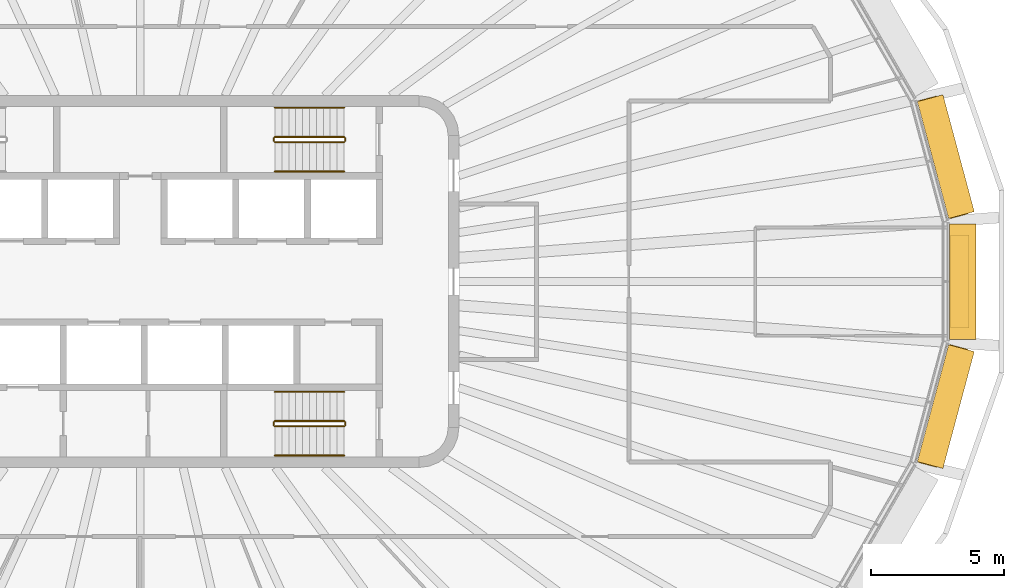
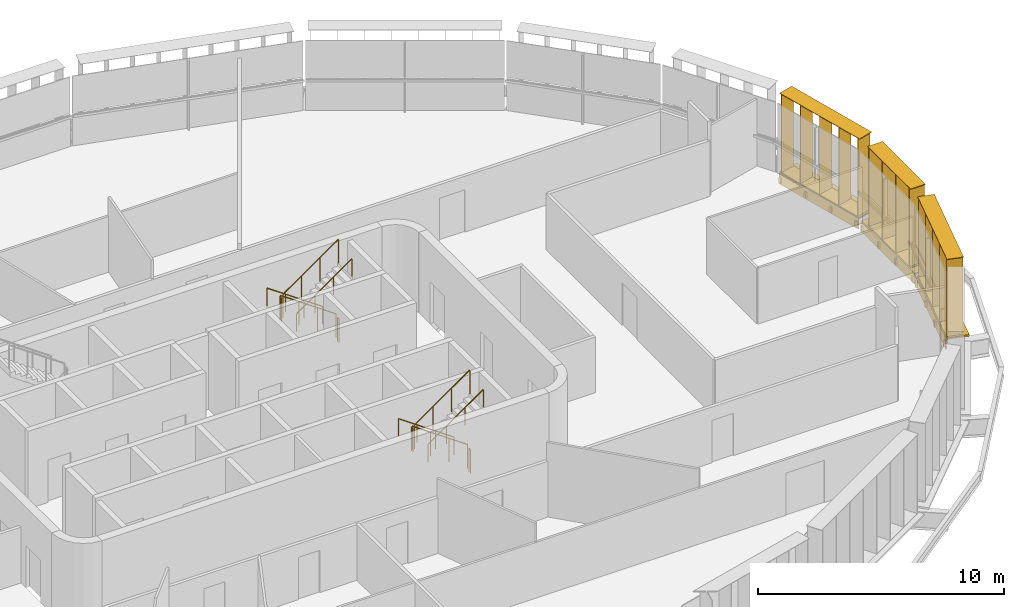
# One storey, part 18 of 19: 12 railings, 6 shading devices.
"""IFC4 building model written with IfcOpenShell, lengths in metres."""

from ifc_helpers import new_model, si_unit, direction, frame, origin, origin_2d, place, context, subcontext, project, spatial, rectangle, circle, extrude, material, type_object, element, save


model = new_model("IFC4")

# Units and contexts
model_context = context("Model", 3, precision=1e-05, world=origin(), true_north=direction((0.0, 1.0)))
body_context = subcontext(model_context, "Body", "Model", "MODEL_VIEW")
ifc_project = project(units=[si_unit("LENGTHUNIT", "METRE"), si_unit("AREAUNIT", "SQUARE_METRE"), si_unit("VOLUMEUNIT", "CUBIC_METRE"), si_unit("PLANEANGLEUNIT", "RADIAN"), si_unit("MASSUNIT", "GRAM", prefix="KILO")], contexts=[model_context])

# Site, building, storey
site_placement = place(None, origin())
site = spatial("IfcSite", under=ifc_project, at=site_placement, CompositionType="ELEMENT")
building_placement = place(site_placement, origin())
building = spatial("IfcBuilding", under=site, at=building_placement, Name="Sahrelin Media Tower", CompositionType="ELEMENT")
storey_placement = place(building_placement, frame((0.0, 0.0, 241.60009765625)))
storey = spatial("IfcBuildingStorey", under=building, at=storey_placement, Name="L52", CompositionType="ELEMENT", Elevation=241.60009765625)

# Shading devices
ifc_material_1 = material(Name="Champagne anodised aluminium 6063-T6", Category="aluminium")
shading_device_type_1 = type_object("IfcShadingDeviceType", Name="Fin cassette", PredefinedType="USERDEFINED", material=ifc_material_1)
placement_1 = place(storey_placement, frame((30.449951171875, 0.0, 0.0), z_axis=(0.0, 0.0, 1.0), x_axis=(0.0, -1.0, 0.0)))
element("IfcShadingDevice", 1, at=placement_1, inside=storey, type_object=shading_device_type_1, Name="L52:FIN:L52-00", ObjectType="FIN", PredefinedType="USERDEFINED", context=body_context, shape_type="SweptSolid", body=[
    extrude(rectangle(XDim=3.5, YDim=0.699951171875, at=origin_2d()), frame((0.0, 0.419921875, 0.0)), (0.0, 0.0, 1.0), 0.02001953125),
    extrude(rectangle(XDim=3.5, YDim=0.699951171875, at=origin_2d()), frame((0.0, 0.419921875, 3.89990234375)), (0.0, 0.0, 1.0), 0.02001953125),
    extrude(rectangle(XDim=0.02001953125, YDim=0.699951171875, at=origin_2d()), frame((-1.64990234375, 0.419921875, 0.010009765625), z_axis=(0.0, 0.0, 1.0), x_axis=(1.0, 0.0, 0.0)), (0.0, 0.0, 1.0), 3.89990234375),
    extrude(rectangle(XDim=0.02001953125, YDim=0.699951171875, at=origin_2d()), frame((-0.550048828125, 0.419921875, 0.010009765625), z_axis=(0.0, 0.0, 1.0), x_axis=(1.0, 0.0, 0.0)), (0.0, 0.0, 1.0), 3.89990234375),
    extrude(rectangle(XDim=0.02001953125, YDim=0.699951171875, at=origin_2d()), frame((0.550048828125, 0.419921875, 0.010009765625), z_axis=(0.0, 0.0, 1.0), x_axis=(1.0, 0.0, 0.0)), (0.0, 0.0, 1.0), 3.89990234375),
    extrude(rectangle(XDim=0.02001953125, YDim=0.699951171875, at=origin_2d()), frame((1.64990234375, 0.419921875, 0.010009765625), z_axis=(0.0, 0.0, 1.0), x_axis=(1.0, 0.0, 0.0)), (0.0, 0.0, 1.0), 3.89990234375),
])
placement_2 = place(storey_placement, frame((29.83447265625, 4.572265625, 0.0), z_axis=(0.0, 0.0, 1.0), x_axis=(0.258807731996, -0.965928857556, 0.0)))
element("IfcShadingDevice", 2, at=placement_2, inside=storey, type_object=shading_device_type_1, Name="L52:FIN:L52-01", ObjectType="FIN", PredefinedType="USERDEFINED", context=body_context, shape_type="SweptSolid", body=[
    extrude(rectangle(XDim=4.60009765625, YDim=0.699951171875, at=origin_2d()), frame((0.0, 0.419921875, 0.0)), (0.0, 0.0, 1.0), 0.02001953125),
    extrude(rectangle(XDim=4.60009765625, YDim=0.699951171875, at=origin_2d()), frame((0.0, 0.419921875, 3.89990234375)), (0.0, 0.0, 1.0), 0.02001953125),
    extrude(rectangle(XDim=0.02001953125, YDim=0.699951171875, at=origin_2d()), frame((-2.199951171875, 0.419921875, 0.010009765625), z_axis=(0.0, 0.0, 1.0), x_axis=(1.0, 0.0, 0.0)), (0.0, 0.0, 1.0), 3.89990234375),
    extrude(rectangle(XDim=0.02001953125, YDim=0.699951171875, at=origin_2d()), frame((-1.10009765625, 0.419921875, 0.010009765625), z_axis=(0.0, 0.0, 1.0), x_axis=(1.0, 0.0, 0.0)), (0.0, 0.0, 1.0), 3.89990234375),
    extrude(rectangle(XDim=0.02001953125, YDim=0.699951171875, at=origin_2d()), frame((0.0, 0.419921875, 0.010009765625), z_axis=(0.0, 0.0, 1.0), x_axis=(1.0, 0.0, 0.0)), (0.0, 0.0, 1.0), 3.89990234375),
    extrude(rectangle(XDim=0.02001953125, YDim=0.699951171875, at=origin_2d()), frame((1.10009765625, 0.419921875, 0.010009765625), z_axis=(0.0, 0.0, 1.0), x_axis=(1.0, 0.0, 0.0)), (0.0, 0.0, 1.0), 3.89990234375),
    extrude(rectangle(XDim=0.02001953125, YDim=0.699951171875, at=origin_2d()), frame((2.199951171875, 0.419921875, 0.010009765625), z_axis=(0.0, 0.0, 1.0), x_axis=(1.0, 0.0, 0.0)), (0.0, 0.0, 1.0), 3.89990234375),
])
placement_3 = place(storey_placement, frame((29.834228515625, -4.572265625, 0.0), z_axis=(0.0, 0.0, 1.0), x_axis=(-0.258807731996, -0.965928857556, 0.0)))
element("IfcShadingDevice", 3, at=placement_3, inside=storey, type_object=shading_device_type_1, Name="L52:FIN:L52-23", ObjectType="FIN", PredefinedType="USERDEFINED", context=body_context, shape_type="SweptSolid", body=[
    extrude(rectangle(XDim=4.60009765625, YDim=0.699951171875, at=origin_2d()), frame((0.0, 0.419921875, 0.0)), (0.0, 0.0, 1.0), 0.02001953125),
    extrude(rectangle(XDim=4.60009765625, YDim=0.699951171875, at=origin_2d()), frame((0.0, 0.419921875, 3.89990234375)), (0.0, 0.0, 1.0), 0.02001953125),
    extrude(rectangle(XDim=0.02001953125, YDim=0.699951171875, at=origin_2d()), frame((-2.199951171875, 0.419921875, 0.010009765625), z_axis=(0.0, 0.0, 1.0), x_axis=(1.0, 0.0, 0.0)), (0.0, 0.0, 1.0), 3.89990234375),
    extrude(rectangle(XDim=0.02001953125, YDim=0.699951171875, at=origin_2d()), frame((-1.10009765625, 0.419921875, 0.010009765625), z_axis=(0.0, 0.0, 1.0), x_axis=(1.0, 0.0, 0.0)), (0.0, 0.0, 1.0), 3.89990234375),
    extrude(rectangle(XDim=0.02001953125, YDim=0.699951171875, at=origin_2d()), frame((0.0, 0.419921875, 0.010009765625), z_axis=(0.0, 0.0, 1.0), x_axis=(1.0, 0.0, 0.0)), (0.0, 0.0, 1.0), 3.89990234375),
    extrude(rectangle(XDim=0.02001953125, YDim=0.699951171875, at=origin_2d()), frame((1.10009765625, 0.419921875, 0.010009765625), z_axis=(0.0, 0.0, 1.0), x_axis=(1.0, 0.0, 0.0)), (0.0, 0.0, 1.0), 3.89990234375),
    extrude(rectangle(XDim=0.02001953125, YDim=0.699951171875, at=origin_2d()), frame((2.199951171875, 0.419921875, 0.010009765625), z_axis=(0.0, 0.0, 1.0), x_axis=(1.0, 0.0, 0.0)), (0.0, 0.0, 1.0), 3.89990234375),
])

# Railings
ifc_material_2 = material(Name="Steel S355", Category="steel")
railing_type_1 = type_object("IfcRailingType", Name="Stair guard 1200", PredefinedType="GUARDRAIL", material=ifc_material_2)
railing_1_placement = place(storey_placement, frame((7.675048828125, 5.449951171875, 0.181640625)))
element("IfcRailing", 4, at=railing_1_placement, inside=storey, type_object=railing_type_1, Name="L52 ST3 stair guard 1", PredefinedType="GUARDRAIL", context=body_context, shape_type="SweptSolid", body=[
    extrude(circle(Radius=0.02392578125, at=origin_2d()), frame((0.0, 0.0, 1.17578125), z_axis=(-0.819484887739, 0.0, 0.573100792852), x_axis=(0.0, -1.0, 0.0)), (0.0, 0.0, 1.0), 3.1728515625),
    extrude(circle(Radius=0.02099609375, at=origin_2d()), origin(), (0.0, 0.0, 1.0), 1.15185546875),
    extrude(circle(Radius=0.02099609375, at=origin_2d()), frame((-0.86669921875, 0.0, 0.606201171875)), (0.0, 0.0, 1.0), 1.15185546875),
    extrude(circle(Radius=0.02099609375, at=origin_2d()), frame((-1.7333984375, 0.0, 1.212158203125)), (0.0, 0.0, 1.0), 1.15185546875),
    extrude(circle(Radius=0.02099609375, at=origin_2d()), frame((-2.60009765625, 0.0, 1.818359375)), (0.0, 0.0, 1.0), 1.15185546875),
])
railing_2_placement = place(storey_placement, frame((5.02490234375, 5.39990234375, 2.0)))
element("IfcRailing", 5, at=railing_2_placement, inside=storey, type_object=railing_type_1, Name="L52 ST3 stair guard 2", PredefinedType="GUARDRAIL", context=body_context, shape_type="SweptSolid", body=[
    extrude(circle(Radius=0.02392578125, at=origin_2d()), frame((0.0, 0.0, 1.17578125), z_axis=(0.0, -1.0, 0.0), x_axis=(1.0, 0.0, 0.0)), (0.0, 0.0, 1.0), 0.099853515625),
    extrude(circle(Radius=0.02099609375, at=origin_2d()), origin(), (0.0, 0.0, 1.0), 1.15185546875),
    extrude(circle(Radius=0.02099609375, at=origin_2d()), frame((0.0, -0.099853515625, 0.0)), (0.0, 0.0, 1.0), 1.15185546875),
])
railing_3_placement = place(storey_placement, frame((5.074951171875, 5.25, 2.181640625)))
element("IfcRailing", 6, at=railing_3_placement, inside=storey, type_object=railing_type_1, Name="L52 ST3 stair guard 3", PredefinedType="GUARDRAIL", context=body_context, shape_type="SweptSolid", body=[
    extrude(circle(Radius=0.02392578125, at=origin_2d()), frame((0.0, 0.0, 1.17578125), z_axis=(0.819484887739, 0.0, 0.573100792852), x_axis=(0.0, 1.0, 0.0)), (0.0, 0.0, 1.0), 3.1728515625),
    extrude(circle(Radius=0.02099609375, at=origin_2d()), origin(), (0.0, 0.0, 1.0), 1.15185546875),
    extrude(circle(Radius=0.02099609375, at=origin_2d()), frame((0.86669921875, 0.0, 0.606201171875)), (0.0, 0.0, 1.0), 1.15185546875),
    extrude(circle(Radius=0.02099609375, at=origin_2d()), frame((1.7333984375, 0.0, 1.212158203125)), (0.0, 0.0, 1.0), 1.15185546875),
    extrude(circle(Radius=0.02099609375, at=origin_2d()), frame((2.60009765625, 0.0, 1.818359375)), (0.0, 0.0, 1.0), 1.15185546875),
])
railing_4_placement = place(storey_placement, frame((7.72509765625, 5.39990234375, 0.0)))
element("IfcRailing", 7, at=railing_4_placement, inside=storey, type_object=railing_type_1, Name="L52 ST3 stair guard 4", PredefinedType="GUARDRAIL", context=body_context, shape_type="SweptSolid", body=[
    extrude(circle(Radius=0.02392578125, at=origin_2d()), frame((0.0, 0.0, 1.17578125), z_axis=(0.0, -1.0, 0.0), x_axis=(1.0, 0.0, 0.0)), (0.0, 0.0, 1.0), 0.099853515625),
    extrude(circle(Radius=0.02099609375, at=origin_2d()), origin(), (0.0, 0.0, 1.0), 1.15185546875),
    extrude(circle(Radius=0.02099609375, at=origin_2d()), frame((0.0, -0.099853515625, 0.0)), (0.0, 0.0, 1.0), 1.15185546875),
])
railing_5_placement = place(storey_placement, frame((7.675048828125, -5.25, 0.181640625)))
element("IfcRailing", 8, at=railing_5_placement, inside=storey, type_object=railing_type_1, Name="L52 ST2 stair guard 1", PredefinedType="GUARDRAIL", context=body_context, shape_type="SweptSolid", body=[
    extrude(circle(Radius=0.02392578125, at=origin_2d()), frame((0.0, 0.0, 1.17578125), z_axis=(-0.819484887739, 0.0, 0.573100792852), x_axis=(0.0, -1.0, 0.0)), (0.0, 0.0, 1.0), 3.1728515625),
    extrude(circle(Radius=0.02099609375, at=origin_2d()), origin(), (0.0, 0.0, 1.0), 1.15185546875),
    extrude(circle(Radius=0.02099609375, at=origin_2d()), frame((-0.86669921875, 0.0, 0.606201171875)), (0.0, 0.0, 1.0), 1.15185546875),
    extrude(circle(Radius=0.02099609375, at=origin_2d()), frame((-1.7333984375, 0.0, 1.212158203125)), (0.0, 0.0, 1.0), 1.15185546875),
    extrude(circle(Radius=0.02099609375, at=origin_2d()), frame((-2.60009765625, 0.0, 1.818359375)), (0.0, 0.0, 1.0), 1.15185546875),
])
railing_6_placement = place(storey_placement, frame((5.02490234375, -5.300048828125, 2.0)))
element("IfcRailing", 9, at=railing_6_placement, inside=storey, type_object=railing_type_1, Name="L52 ST2 stair guard 2", PredefinedType="GUARDRAIL", context=body_context, shape_type="SweptSolid", body=[
    extrude(circle(Radius=0.02392578125, at=origin_2d()), frame((0.0, 0.0, 1.17578125), z_axis=(0.0, -1.0, 0.0), x_axis=(1.0, 0.0, 0.0)), (0.0, 0.0, 1.0), 0.099853515625),
    extrude(circle(Radius=0.02099609375, at=origin_2d()), origin(), (0.0, 0.0, 1.0), 1.15185546875),
    extrude(circle(Radius=0.02099609375, at=origin_2d()), frame((0.0, -0.099853515625, 0.0)), (0.0, 0.0, 1.0), 1.15185546875),
])
railing_7_placement = place(storey_placement, frame((5.074951171875, -5.449951171875, 2.181640625)))
element("IfcRailing", 10, at=railing_7_placement, inside=storey, type_object=railing_type_1, Name="L52 ST2 stair guard 3", PredefinedType="GUARDRAIL", context=body_context, shape_type="SweptSolid", body=[
    extrude(circle(Radius=0.02392578125, at=origin_2d()), frame((0.0, 0.0, 1.17578125), z_axis=(0.819484887739, 0.0, 0.573100792852), x_axis=(0.0, 1.0, 0.0)), (0.0, 0.0, 1.0), 3.1728515625),
    extrude(circle(Radius=0.02099609375, at=origin_2d()), origin(), (0.0, 0.0, 1.0), 1.15185546875),
    extrude(circle(Radius=0.02099609375, at=origin_2d()), frame((0.86669921875, 0.0, 0.606201171875)), (0.0, 0.0, 1.0), 1.15185546875),
    extrude(circle(Radius=0.02099609375, at=origin_2d()), frame((1.7333984375, 0.0, 1.212158203125)), (0.0, 0.0, 1.0), 1.15185546875),
    extrude(circle(Radius=0.02099609375, at=origin_2d()), frame((2.60009765625, 0.0, 1.818359375)), (0.0, 0.0, 1.0), 1.15185546875),
])
railing_8_placement = place(storey_placement, frame((7.72509765625, -5.300048828125, 0.0)))
element("IfcRailing", 11, at=railing_8_placement, inside=storey, type_object=railing_type_1, Name="L52 ST2 stair guard 4", PredefinedType="GUARDRAIL", context=body_context, shape_type="SweptSolid", body=[
    extrude(circle(Radius=0.02392578125, at=origin_2d()), frame((0.0, 0.0, 1.17578125), z_axis=(0.0, -1.0, 0.0), x_axis=(1.0, 0.0, 0.0)), (0.0, 0.0, 1.0), 0.099853515625),
    extrude(circle(Radius=0.02099609375, at=origin_2d()), origin(), (0.0, 0.0, 1.0), 1.15185546875),
    extrude(circle(Radius=0.02099609375, at=origin_2d()), frame((0.0, -0.099853515625, 0.0)), (0.0, 0.0, 1.0), 1.15185546875),
])
railing_type_2 = type_object("IfcRailingType", Name="Stair handrail 900", PredefinedType="HANDRAIL", material=ifc_material_2)
railing_9_placement = place(storey_placement, frame((7.675048828125, 6.550048828125, 0.181640625)))
element("IfcRailing", 12, at=railing_9_placement, inside=storey, type_object=railing_type_2, Name="L52 ST3 stair handrail 1", PredefinedType="HANDRAIL", context=body_context, shape_type="SweptSolid", body=[
    extrude(circle(Radius=0.02392578125, at=origin_2d()), frame((0.0, 0.0, 0.8759765625), z_axis=(-0.819484887739, 0.0, 0.573100792852), x_axis=(0.0, -1.0, 0.0)), (0.0, 0.0, 1.0), 3.1728515625),
    extrude(circle(Radius=0.02099609375, at=origin_2d()), origin(), (0.0, 0.0, 1.0), 0.851806640625),
    extrude(circle(Radius=0.02099609375, at=origin_2d()), frame((-0.86669921875, 0.0, 0.606201171875)), (0.0, 0.0, 1.0), 0.851806640625),
    extrude(circle(Radius=0.02099609375, at=origin_2d()), frame((-1.7333984375, 0.0, 1.212158203125)), (0.0, 0.0, 1.0), 0.851806640625),
    extrude(circle(Radius=0.02099609375, at=origin_2d()), frame((-2.60009765625, 0.0, 1.818359375)), (0.0, 0.0, 1.0), 0.851806640625),
])
railing_10_placement = place(storey_placement, frame((5.074951171875, 4.14990234375, 2.181640625)))
element("IfcRailing", 13, at=railing_10_placement, inside=storey, type_object=railing_type_2, Name="L52 ST3 stair handrail 2", PredefinedType="HANDRAIL", context=body_context, shape_type="SweptSolid", body=[
    extrude(circle(Radius=0.02392578125, at=origin_2d()), frame((0.0, 0.0, 0.8759765625), z_axis=(0.819484887739, 0.0, 0.573100792852), x_axis=(0.0, 1.0, 0.0)), (0.0, 0.0, 1.0), 3.1728515625),
    extrude(circle(Radius=0.02099609375, at=origin_2d()), origin(), (0.0, 0.0, 1.0), 0.851806640625),
    extrude(circle(Radius=0.02099609375, at=origin_2d()), frame((0.86669921875, 0.0, 0.606201171875)), (0.0, 0.0, 1.0), 0.851806640625),
    extrude(circle(Radius=0.02099609375, at=origin_2d()), frame((1.7333984375, 0.0, 1.212158203125)), (0.0, 0.0, 1.0), 0.851806640625),
    extrude(circle(Radius=0.02099609375, at=origin_2d()), frame((2.60009765625, 0.0, 1.818359375)), (0.0, 0.0, 1.0), 0.851806640625),
])
railing_11_placement = place(storey_placement, frame((7.675048828125, -4.14990234375, 0.181640625)))
element("IfcRailing", 14, at=railing_11_placement, inside=storey, type_object=railing_type_2, Name="L52 ST2 stair handrail 1", PredefinedType="HANDRAIL", context=body_context, shape_type="SweptSolid", body=[
    extrude(circle(Radius=0.02392578125, at=origin_2d()), frame((0.0, 0.0, 0.8759765625), z_axis=(-0.819484887739, 0.0, 0.573100792852), x_axis=(0.0, -1.0, 0.0)), (0.0, 0.0, 1.0), 3.1728515625),
    extrude(circle(Radius=0.02099609375, at=origin_2d()), origin(), (0.0, 0.0, 1.0), 0.851806640625),
    extrude(circle(Radius=0.02099609375, at=origin_2d()), frame((-0.86669921875, 0.0, 0.606201171875)), (0.0, 0.0, 1.0), 0.851806640625),
    extrude(circle(Radius=0.02099609375, at=origin_2d()), frame((-1.7333984375, 0.0, 1.212158203125)), (0.0, 0.0, 1.0), 0.851806640625),
    extrude(circle(Radius=0.02099609375, at=origin_2d()), frame((-2.60009765625, 0.0, 1.818359375)), (0.0, 0.0, 1.0), 0.851806640625),
])
railing_12_placement = place(storey_placement, frame((5.074951171875, -6.550048828125, 2.181640625)))
element("IfcRailing", 15, at=railing_12_placement, inside=storey, type_object=railing_type_2, Name="L52 ST2 stair handrail 2", PredefinedType="HANDRAIL", context=body_context, shape_type="SweptSolid", body=[
    extrude(circle(Radius=0.02392578125, at=origin_2d()), frame((0.0, 0.0, 0.8759765625), z_axis=(0.819484887739, 0.0, 0.573100792852), x_axis=(0.0, 1.0, 0.0)), (0.0, 0.0, 1.0), 3.1728515625),
    extrude(circle(Radius=0.02099609375, at=origin_2d()), origin(), (0.0, 0.0, 1.0), 0.851806640625),
    extrude(circle(Radius=0.02099609375, at=origin_2d()), frame((0.86669921875, 0.0, 0.606201171875)), (0.0, 0.0, 1.0), 0.851806640625),
    extrude(circle(Radius=0.02099609375, at=origin_2d()), frame((1.7333984375, 0.0, 1.212158203125)), (0.0, 0.0, 1.0), 0.851806640625),
    extrude(circle(Radius=0.02099609375, at=origin_2d()), frame((2.60009765625, 0.0, 1.818359375)), (0.0, 0.0, 1.0), 0.851806640625),
])

# Shading devices
shading_device_type_2 = type_object("IfcShadingDeviceType", Name="Sunshade band", PredefinedType="USERDEFINED", material=ifc_material_1)
element("IfcShadingDevice", 16, at=placement_1, inside=storey, type_object=shading_device_type_2, Name="L52:SUN:L52-00", ObjectType="SUNSHADE", PredefinedType="USERDEFINED", context=body_context, shape_type="SweptSolid", body=[
    extrude(rectangle(XDim=4.34912109375, YDim=0.050048828125, at=origin_2d()), frame((0.0, 0.044921875, -0.55126953125)), (0.0, 0.0, 1.0), 0.471435546875),
    extrude(rectangle(XDim=4.34912109375, YDim=1.0, at=origin_2d()), frame((0.0, 0.52001953125, -0.080078125)), (0.0, 0.0, 1.0), 0.080078125),
    extrude(rectangle(XDim=0.10009765625, YDim=0.074951171875, at=origin_2d()), frame((-2.074462890625, -0.017578125, -0.47021484375)), (0.0, 0.0, 1.0), 0.300048828125),
    extrude(rectangle(XDim=0.10009765625, YDim=0.074951171875, at=origin_2d()), frame((-0.69140625, -0.017578125, -0.47021484375)), (0.0, 0.0, 1.0), 0.300048828125),
    extrude(rectangle(XDim=0.10009765625, YDim=0.074951171875, at=origin_2d()), frame((0.69140625, -0.017578125, -0.47021484375)), (0.0, 0.0, 1.0), 0.300048828125),
    extrude(rectangle(XDim=0.10009765625, YDim=0.074951171875, at=origin_2d()), frame((2.074462890625, -0.017578125, -0.47021484375)), (0.0, 0.0, 1.0), 0.300048828125),
])
element("IfcShadingDevice", 17, at=placement_2, inside=storey, type_object=shading_device_type_2, Name="L52:SUN:L52-01", ObjectType="SUNSHADE", PredefinedType="USERDEFINED", context=body_context, shape_type="SweptSolid", body=[
    extrude(rectangle(XDim=4.5576171875, YDim=0.050048828125, at=origin_2d()), frame((0.0, 0.044921875, -0.55126953125)), (0.0, 0.0, 1.0), 0.471435546875),
    extrude(rectangle(XDim=4.5576171875, YDim=1.0, at=origin_2d()), frame((0.0, 0.52001953125, -0.080078125)), (0.0, 0.0, 1.0), 0.080078125),
    extrude(rectangle(XDim=0.10009765625, YDim=0.074951171875, at=origin_2d()), frame((-2.1787109375, -0.017578125, -0.47021484375)), (0.0, 0.0, 1.0), 0.300048828125),
    extrude(rectangle(XDim=0.10009765625, YDim=0.074951171875, at=origin_2d()), frame((-0.726318359375, -0.017578125, -0.47021484375)), (0.0, 0.0, 1.0), 0.300048828125),
    extrude(rectangle(XDim=0.10009765625, YDim=0.074951171875, at=origin_2d()), frame((0.726318359375, -0.017578125, -0.47021484375)), (0.0, 0.0, 1.0), 0.300048828125),
    extrude(rectangle(XDim=0.10009765625, YDim=0.074951171875, at=origin_2d()), frame((2.1787109375, -0.017578125, -0.47021484375)), (0.0, 0.0, 1.0), 0.300048828125),
])
element("IfcShadingDevice", 18, at=placement_3, inside=storey, type_object=shading_device_type_2, Name="L52:SUN:L52-23", ObjectType="SUNSHADE", PredefinedType="USERDEFINED", context=body_context, shape_type="SweptSolid", body=[
    extrude(rectangle(XDim=4.5576171875, YDim=0.050048828125, at=origin_2d()), frame((0.0, 0.044921875, -0.55126953125)), (0.0, 0.0, 1.0), 0.471435546875),
    extrude(rectangle(XDim=4.5576171875, YDim=1.0, at=origin_2d()), frame((0.0, 0.52001953125, -0.080078125)), (0.0, 0.0, 1.0), 0.080078125),
    extrude(rectangle(XDim=0.10009765625, YDim=0.074951171875, at=origin_2d()), frame((-2.1787109375, -0.017578125, -0.47021484375)), (0.0, 0.0, 1.0), 0.300048828125),
    extrude(rectangle(XDim=0.10009765625, YDim=0.074951171875, at=origin_2d()), frame((-0.726318359375, -0.017578125, -0.47021484375)), (0.0, 0.0, 1.0), 0.300048828125),
    extrude(rectangle(XDim=0.10009765625, YDim=0.074951171875, at=origin_2d()), frame((0.726318359375, -0.017578125, -0.47021484375)), (0.0, 0.0, 1.0), 0.300048828125),
    extrude(rectangle(XDim=0.10009765625, YDim=0.074951171875, at=origin_2d()), frame((2.1787109375, -0.017578125, -0.47021484375)), (0.0, 0.0, 1.0), 0.300048828125),
])

save(model, "model.ifc")
